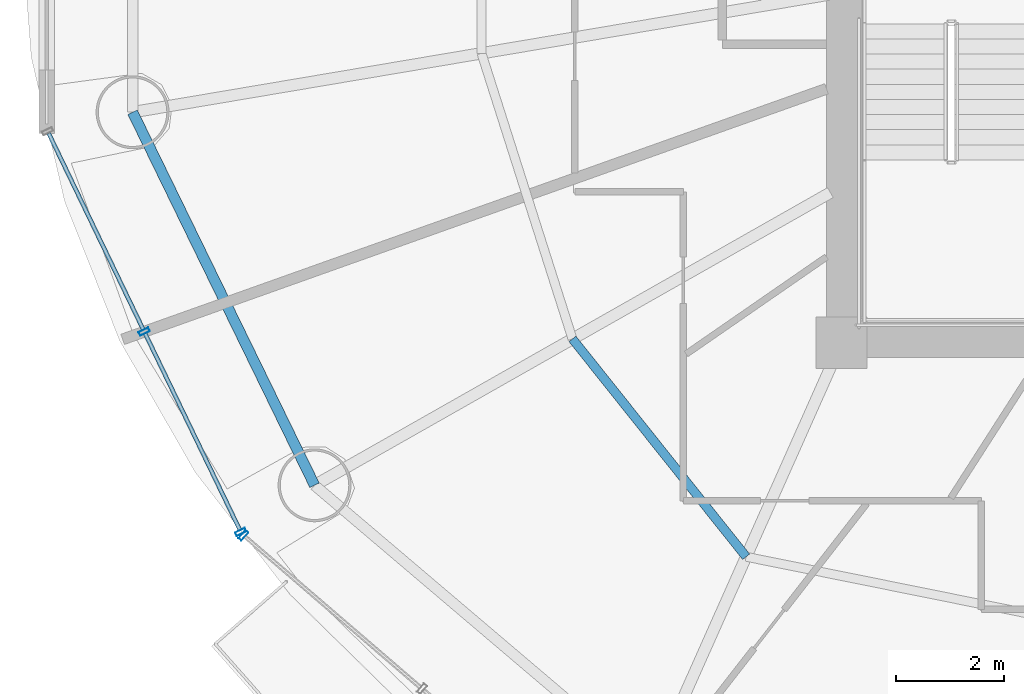
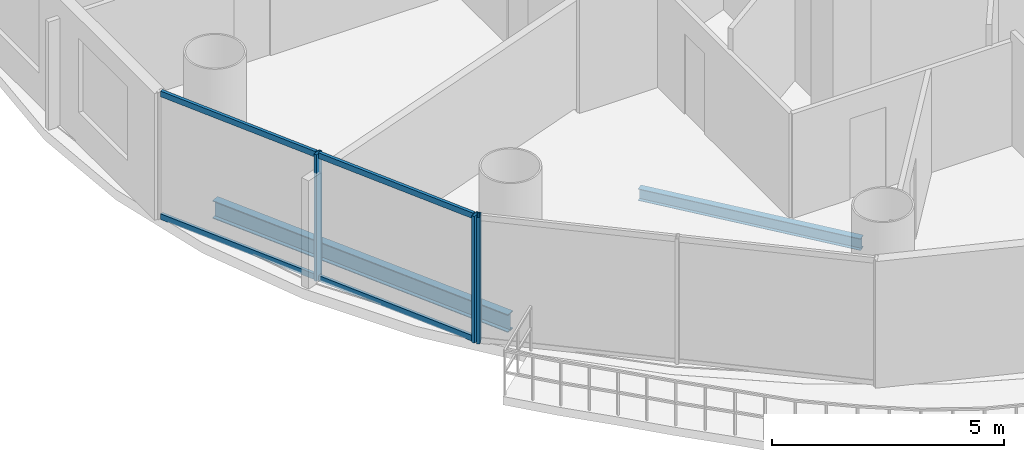
# One storey, part 3 of 27: 7 members, 2 beams, 2 elements without a shape of their own.
"""IFC4 building model written with IfcOpenShell, lengths in metres."""

from ifc_helpers import new_model, si_unit, direction, frame, origin, origin_2d, place, context, subcontext, project, spatial, hollow_rectangle, i_section, extrude, source, transform, mapped, material, material_profile, profile_set, type_object, element, aggregate, save


model = new_model("IFC4")

# Units and contexts
model_context = context("Model", 3, precision=1e-05, world=origin(), true_north=direction((-0.2419218956, 0.970295726276)))
body_context = subcontext(model_context, "Body", "Model", "MODEL_VIEW")
ifc_project = project(units=[si_unit("LENGTHUNIT", "METRE"), si_unit("AREAUNIT", "SQUARE_METRE"), si_unit("VOLUMEUNIT", "CUBIC_METRE"), si_unit("PLANEANGLEUNIT", "RADIAN"), si_unit("MASSUNIT", "GRAM", prefix="KILO")], contexts=[model_context])

# Site, building, storey
site_placement = place(None, origin())
site = spatial("IfcSite", under=ifc_project, at=site_placement, CompositionType="ELEMENT")
building_placement = place(site_placement, origin())
building = spatial("IfcBuilding", under=site, at=building_placement, Name="Cobrevalo Terracotta Tower", CompositionType="ELEMENT")
storey_placement = place(building_placement, frame((0.0, 0.0, 149.800048828125)))
storey = spatial("IfcBuildingStorey", under=building, at=storey_placement, Name="L39", CompositionType="ELEMENT", Elevation=149.800048828125)

# Beams
ifc_material_1 = material(Name="Steel S355", Category="steel")
ifc_material_profile_1 = material_profile(ifc_material_1, i_section(OverallWidth=0.1650390625, OverallDepth=0.31005859375, WebThickness=0.005859375, FlangeThickness=0.009765625, at=origin_2d()), Name="W 310x38.7")
ifc_profile_set_1 = profile_set([ifc_material_profile_1], Name="Steel S355")
beam_type_1 = type_object("IfcBeamType", Name="Structural Joist W 310x38.7 (Steel S355)", PredefinedType="JOIST", material=ifc_profile_set_1)
beam_1_placement = place(storey_placement, frame((24.022705078125, 18.868896484375, -0.425048828125), z_axis=(0.623382939397, -0.781916690492, 0.0), x_axis=(0.781916690492, 0.623382939397, 0.0)))
element("IfcBeam", 1, at=beam_1_placement, inside=storey, type_object=beam_type_1, Name="L39 circumferential secondary floor joist 10", PredefinedType="JOIST", context=body_context, shape_type="SweptSolid", body=[
    extrude(i_section(OverallWidth=0.1650390625, OverallDepth=0.31005859375, WebThickness=0.005859375, FlangeThickness=0.009765625, at=origin_2d()), origin(), (0.0, 0.0, 1.0), 5.154296875),
])
ifc_material_profile_2 = material_profile(ifc_material_1, i_section(OverallWidth=0.194091796875, OverallDepth=0.468994140625, WebThickness=0.011474609375, FlangeThickness=0.0205078125, at=origin_2d()), Name="W 460x106")
ifc_profile_set_2 = profile_set([ifc_material_profile_2], Name="Steel S355")
beam_type_2 = type_object("IfcBeamType", Name="Structural Spandrel W 460x106 (Steel S355)", PredefinedType="SPANDREL", material=ifc_profile_set_2)
beam_2_placement = place(storey_placement, frame((15.88330078125, 23.06396484375, -0.504638671875), z_axis=(0.438380418332, -0.898789524206, 0.0), x_axis=(0.898789524206, 0.438380418332, 0.0)))
element("IfcBeam", 2, at=beam_2_placement, inside=storey, type_object=beam_type_2, Name="L39 perimeter ring spandrel 09", PredefinedType="SPANDREL", context=body_context, shape_type="SweptSolid", body=[
    extrude(i_section(OverallWidth=0.194091796875, OverallDepth=0.468994140625, WebThickness=0.011474609375, FlangeThickness=0.0205078125, at=origin_2d()), origin(), (0.0, 0.0, 1.0), 7.680419921875),
])

# Curtain wall, members
ifc_material_2 = material(Name="Anodized aluminium", Category="aluminium")
curtain_wall_type = type_object("IfcCurtainWallType", Name="Mid-tower high-wind unitised curtain wall CW-U2", PredefinedType="NOTDEFINED", material=ifc_material_2)
curtain_wall_1_placement = place(storey_placement, origin())
curtain_wall_1 = element("IfcCurtainWall", 3, at=curtain_wall_1_placement, inside=storey, type_object=curtain_wall_type, Name="L39 curtain wall CW-L39-S09", PredefinedType="NOTDEFINED")
ifc_material_profile_3 = material_profile(ifc_material_2, hollow_rectangle(XDim=0.074951171875, YDim=0.14990234375, WallThickness=0.00439453125, at=origin_2d()), Name="CWT 75x150")
ifc_profile_set_3 = profile_set([ifc_material_profile_3], Name="Anodized aluminium")
member_type_1 = type_object("IfcMemberType", Name="Tower unitised aluminium transom 75x150", PredefinedType="USERDEFINED", material=ifc_profile_set_3)
shared_shape_1 = source(origin(), body_context, "Body", "SweptSolid", [
    extrude(hollow_rectangle(XDim=0.074951171875, YDim=0.14990234375, WallThickness=0.00439453125, at=origin_2d()), origin(), (0.0, 0.0, 1.0), 4.035888671875),
])
member_1_placement = place(storey_placement, frame((14.3291015625, 22.676025390625, 0.050048828125), z_axis=(0.434221176581, -0.900806288726, 0.0), x_axis=(0.900806288726, 0.434221176581, 0.0)))
member_1 = element("IfcMember", 4, at=member_1_placement, type_object=member_type_1, Name="CW-L39-S09 transom B01-T1", ObjectType="TRANSOM", PredefinedType="USERDEFINED", context=body_context, shape_type="MappedRepresentation", body=[
    mapped(shared_shape_1, transform((0.0, 0.0, 0.0), scale=1.0)),
])
member_2_placement = place(storey_placement, frame((14.3291015625, 22.676025390625, 3.280029296875), z_axis=(0.434221176581, -0.900806288726, 0.0), x_axis=(0.900806288726, 0.434221176581, 0.0)))
member_2 = element("IfcMember", 5, at=member_2_placement, type_object=member_type_1, Name="CW-L39-S09 transom B01-T2", ObjectType="TRANSOM", PredefinedType="USERDEFINED", context=body_context, shape_type="MappedRepresentation", body=[
    mapped(shared_shape_1, transform((0.0, 0.0, 0.0), scale=1.0)),
])
member_3_placement = place(storey_placement, frame((16.1162109375, 18.96826171875, 0.050048828125), z_axis=(0.434221176581, -0.900806288726, 0.0), x_axis=(0.900806288726, 0.434221176581, 0.0)))
member_3 = element("IfcMember", 6, at=member_3_placement, type_object=member_type_1, Name="CW-L39-S09 transom B02-T1", ObjectType="TRANSOM", PredefinedType="USERDEFINED", context=body_context, shape_type="MappedRepresentation", body=[
    mapped(shared_shape_1, transform((0.0, 0.0, 0.0), scale=1.0)),
])
member_4_placement = place(storey_placement, frame((16.1162109375, 18.96826171875, 3.280029296875), z_axis=(0.434221176581, -0.900806288726, 0.0), x_axis=(0.900806288726, 0.434221176581, 0.0)))
member_4 = element("IfcMember", 7, at=member_4_placement, type_object=member_type_1, Name="CW-L39-S09 transom B02-T2", ObjectType="TRANSOM", PredefinedType="USERDEFINED", context=body_context, shape_type="MappedRepresentation", body=[
    mapped(shared_shape_1, transform((0.0, 0.0, 0.0), scale=1.0)),
])
ifc_material_profile_4 = material_profile(ifc_material_2, hollow_rectangle(XDim=0.074951171875, YDim=0.199951171875, WallThickness=0.0048828125, at=origin_2d()), Name="CWM 75x200")
ifc_profile_set_4 = profile_set([ifc_material_profile_4], Name="Anodized aluminium")
member_type_2 = type_object("IfcMemberType", Name="Lower/mid tower unitised mullion 75x200", PredefinedType="MULLION", material=ifc_profile_set_4)
shared_shape_2 = source(origin(), body_context, "Body", "SweptSolid", [
    extrude(hollow_rectangle(XDim=0.074951171875, YDim=0.199951171875, WallThickness=0.0048828125, at=origin_2d()), origin(), (0.0, 0.0, 1.0), 3.329833984375),
])
member_5_placement = place(storey_placement, frame((16.098876953125, 19.00439453125, 0.0), z_axis=(0.0, 0.0, 1.0), x_axis=(0.434209440271, -0.900811945957, 0.0)))
member_5 = element("IfcMember", 8, at=member_5_placement, type_object=member_type_2, Name="CW-L39-S09 vertical mullion 02", PredefinedType="MULLION", context=body_context, shape_type="MappedRepresentation", body=[
    mapped(shared_shape_2, transform((0.0, 0.0, 0.0), scale=1.0)),
])
member_6_placement = place(storey_placement, frame((17.885986328125, 15.296875, 0.0), z_axis=(0.0, 0.0, 1.0), x_axis=(0.434209440271, -0.900811945957, 0.0)))
member_6 = element("IfcMember", 9, at=member_6_placement, type_object=member_type_2, Name="CW-L39-S09 vertical mullion 03", PredefinedType="MULLION", context=body_context, shape_type="MappedRepresentation", body=[
    mapped(shared_shape_2, transform((0.0, 0.0, 0.0), scale=1.0)),
])
aggregate(curtain_wall_1, [member_5, member_6, member_1, member_2, member_3, member_4])

# Curtain wall, member
curtain_wall_2_placement = place(storey_placement, origin())
curtain_wall_2 = element("IfcCurtainWall", 10, at=curtain_wall_2_placement, inside=storey, type_object=curtain_wall_type, Name="L39 curtain wall CW-L39-S10", PredefinedType="NOTDEFINED")
member_7_placement = place(storey_placement, frame((17.933837890625, 15.234619140625, 0.0), z_axis=(0.0, 0.0, 1.0), x_axis=(0.758441546142, -0.65174106905, 0.0)))
member_7 = element("IfcMember", 11, at=member_7_placement, type_object=member_type_2, Name="CW-L39-S10 vertical mullion 01", PredefinedType="MULLION", context=body_context, shape_type="MappedRepresentation", body=[
    mapped(shared_shape_2, transform((0.0, 0.0, 0.0), scale=1.0)),
])
aggregate(curtain_wall_2, [member_7])

save(model, "model.ifc")
